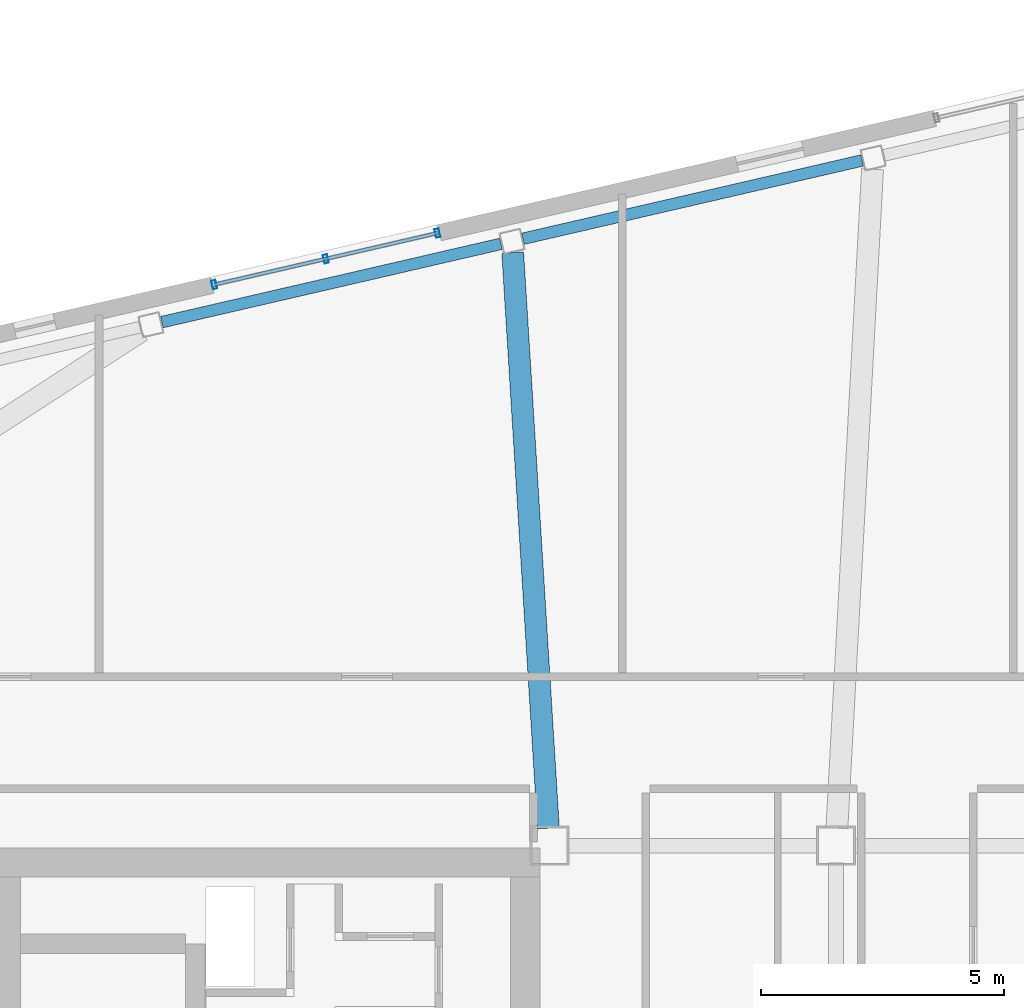
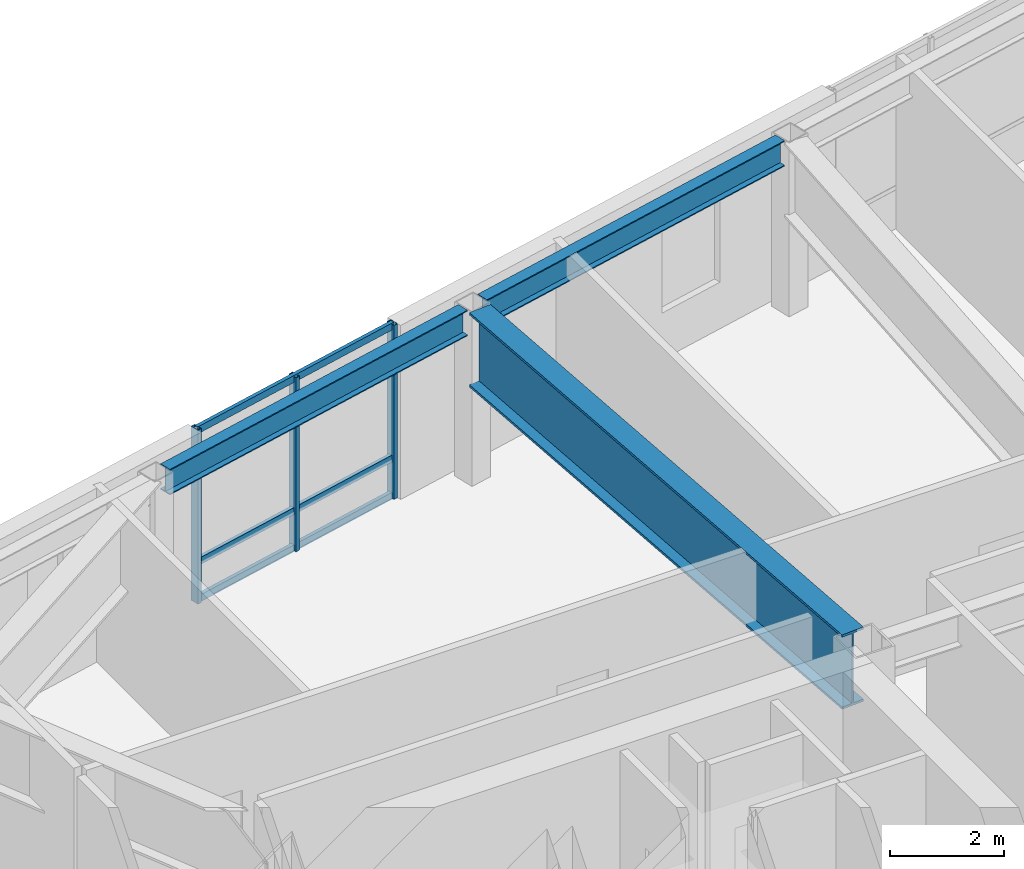
# One storey, part 12 of 23: 6 members, 3 beams, 1 element without a shape of its own.
"""IFC4 building model written with IfcOpenShell, lengths in metres."""

import ifcopenshell
import ifcopenshell.guid

model = None  # the IFC model being written
_history = None  # IfcOwnerHistory: only IFC2X3 demands one
_inside = {}  # id of a spatial element -> (the spatial element, [elements in it])
_under = {}  # id of a project, library or spatial element -> (it, [spatial elements below it])
_declared = {}  # id of a project -> (the project, [libraries it declares])
_typed = {}  # id of a type object -> (the type object, [elements of that type])
_made_of = {}  # id of a material, layer set ... -> (it, [elements and type objects made of it])


def new_model(schema):
    """Start an empty IFC model of exactly this schema.

    Asked for "IFC4X3", IfcOpenShell would pick the latest addendum, in which some entities
    have other attributes; the version numbers below select the first issue.
    IFC2X3 requires an IfcOwnerHistory on every rooted entity: one is made here for all.
    """
    global model, _history
    if schema == "IFC4X3":
        model = ifcopenshell.file(schema_version=(4, 3, 0, 0))
    else:
        model = ifcopenshell.file(schema=schema)
    _inside.clear()
    _under.clear()
    _declared.clear()
    _typed.clear()
    _made_of.clear()
    _history = None
    if model.schema == "IFC2X3":
        org = make("IfcOrganization", Name="unknown")
        user = make(
            "IfcPersonAndOrganization",
            ThePerson=make("IfcPerson", FamilyName="unknown"),
            TheOrganization=org,
        )
        app = make(
            "IfcApplication",
            ApplicationDeveloper=org,
            Version="unknown",
            ApplicationFullName="unknown",
            ApplicationIdentifier="unknown",
        )
        _history = make(
            "IfcOwnerHistory",
            OwningUser=user,
            OwningApplication=app,
            ChangeAction="ADDED",
            CreationDate=0,
        )
    return model


def make(cls, **values):
    """One entity of the class cls with the attributes given. An attribute that is None is left unset."""
    return model.create_entity(
        cls, **{name: value for name, value in values.items() if value is not None}
    )


def rooted(cls, **values):
    """An entity with a GlobalId (a new one), such as an element, a storey or a relation."""
    return make(cls, GlobalId=ifcopenshell.guid.new(), OwnerHistory=_history, **values)


def si_unit(unit_type, name, prefix=None):
    """IfcSIUnit, for example si_unit("LENGTHUNIT", "METRE", prefix="MILLI")."""
    return make("IfcSIUnit", UnitType=unit_type, Prefix=prefix, Name=name)


def assignment(units):
    """IfcUnitAssignment: the units of a project."""
    return None if units is None else make("IfcUnitAssignment", Units=units)


def point(xyz):
    """IfcCartesianPoint."""
    return None if xyz is None else make("IfcCartesianPoint", Coordinates=xyz)


def direction(xyz):
    """IfcDirection."""
    return None if xyz is None else make("IfcDirection", DirectionRatios=xyz)


def frame(location, z_axis=None, x_axis=None):
    """IfcAxis2Placement3D, a coordinate frame: its origin and axes. An axis left out is left unset."""
    return make(
        "IfcAxis2Placement3D",
        Location=point(location),
        Axis=direction(z_axis),
        RefDirection=direction(x_axis),
    )


def frame_2d(location, x_axis=None):
    """IfcAxis2Placement2D, a coordinate frame in the plane: its origin and x axis."""
    return make(
        "IfcAxis2Placement2D", Location=point(location), RefDirection=direction(x_axis)
    )


def origin():
    """The frame at (0, 0, 0) with its axes left unset."""
    return frame((0.0, 0.0, 0.0))


def origin_2d():
    """The frame at (0, 0) in the plane with its x axis left unset."""
    return frame_2d((0.0, 0.0))


def place(relative_to, where):
    """IfcLocalPlacement: puts the frame where relative to a parent placement (None: the world)."""
    return make(
        "IfcLocalPlacement", PlacementRelTo=relative_to, RelativePlacement=where
    )


def context(
    kind, dimensions, precision=None, world=None, true_north=None, identifier=None
):
    """IfcGeometricRepresentationContext, for example the 3D "Model" context."""
    return make(
        "IfcGeometricRepresentationContext",
        ContextIdentifier=identifier,
        ContextType=kind,
        CoordinateSpaceDimension=dimensions,
        Precision=precision,
        WorldCoordinateSystem=world,
        TrueNorth=true_north,
    )


def subcontext(parent, identifier, kind, view, scale=None):
    """IfcGeometricRepresentationSubContext, for example "Body" below "Model"."""
    return make(
        "IfcGeometricRepresentationSubContext",
        ContextIdentifier=identifier,
        ContextType=kind,
        ParentContext=parent,
        TargetScale=scale,
        TargetView=view,
    )


def project(units=None, contexts=None):
    """IfcProject with its units and contexts."""
    return rooted(
        "IfcProject",
        Name="project",
        RepresentationContexts=contexts,
        UnitsInContext=assignment(units),
    )


def spatial(cls, under=None, at=None, **own):
    """A site, building, storey or space (cls), placed at a placement, below another one or the project."""
    s = rooted(cls, ObjectPlacement=at, **own)
    if under is not None:
        _under.setdefault(under.id(), (under, []))[1].append(s)
    return s


def profile(cls, at=None, kind="AREA", **sizes):
    """A parametric profile (cls). Its sizes go by their IFC names, for example OverallWidth=200.0."""
    return make(cls, ProfileType=kind, Position=at, **sizes)


def hollow_rectangle(**sizes):
    """IfcRectangleHollowProfileDef."""
    return profile("IfcRectangleHollowProfileDef", **sizes)


def i_section(**sizes):
    """IfcIShapeProfileDef."""
    return profile("IfcIShapeProfileDef", **sizes)


def extrude(swept, where, along, depth):
    """IfcExtrudedAreaSolid: the profile swept, set in the frame where, extruded along a direction by depth."""
    return make(
        "IfcExtrudedAreaSolid",
        SweptArea=swept,
        Position=where,
        ExtrudedDirection=direction(along),
        Depth=depth,
    )


def shape(context_of_items, identifier, shape_type, items):
    """IfcShapeRepresentation: the items that make up one representation, for example the "Body"."""
    return make(
        "IfcShapeRepresentation",
        ContextOfItems=context_of_items,
        RepresentationIdentifier=identifier,
        RepresentationType=shape_type,
        Items=items,
    )


def material(Name=None, Category=None):
    """IfcMaterial."""
    return make("IfcMaterial", Name=Name, Category=Category)


def layer(
    of_material, thickness, ventilated=None, Name=None, Category=None, Priority=None
):
    """IfcMaterialLayer: one layer of a wall or slab, of a material (None: an air gap)."""
    return make(
        "IfcMaterialLayer",
        Material=of_material,
        LayerThickness=thickness,
        IsVentilated=ventilated,
        Name=Name,
        Category=Category,
        Priority=Priority,
    )


def layer_set(layers, Name=None):
    """IfcMaterialLayerSet."""
    return make("IfcMaterialLayerSet", MaterialLayers=layers, LayerSetName=Name)


def material_profile(
    of_material, cross_section, Name=None, Category=None, Priority=None
):
    """IfcMaterialProfile: a cross section and its material."""
    return make(
        "IfcMaterialProfile",
        Name=Name,
        Material=of_material,
        Profile=cross_section,
        Priority=Priority,
        Category=Category,
    )


def profile_set(profiles, Name=None, composite=None):
    """IfcMaterialProfileSet."""
    return make(
        "IfcMaterialProfileSet",
        Name=Name,
        MaterialProfiles=profiles,
        CompositeProfile=composite,
    )


def made_of(thing, what):
    """Note that an element or type object is made of a material, layer set ...; save() writes the relation."""
    if what is not None:
        _made_of.setdefault(what.id(), (what, []))[1].append(thing)
    return thing


def type_object(cls, material=None, **own):
    """A type object (cls), such as IfcWallType, which elements share."""
    return made_of(rooted(cls, **own), material)


def element(
    cls,
    number,
    at=None,
    inside=None,
    cuts=None,
    type_object=None,
    material=None,
    context=None,
    identifier="Body",
    shape_type=None,
    held_by="IfcProductDefinitionShape",
    body=None,
    shapes=None,
    **own,
):
    """One element of the class cls, such as IfcWall. Its Tag is "e" and its number.

    at: its placement. inside: the storey or other place that contains it. cuts: it is an
    opening in that element (IfcRelVoidsElement). A single representation is given by context,
    identifier, shape_type and body (its items); several are given by shapes. held_by: the class
    of the entity that holds the representations. save() writes the other relations.
    """
    e = rooted(cls, Tag="e%d" % number, ObjectPlacement=at, **own)
    if body is not None:
        shapes = [shape(context, identifier, shape_type, body)]
    if shapes is not None:
        e.Representation = make(held_by, Representations=shapes)
    if inside is not None:
        _inside.setdefault(inside.id(), (inside, []))[1].append(e)
    if cuts is not None:
        rooted(
            "IfcRelVoidsElement", RelatingBuildingElement=cuts, RelatedOpeningElement=e
        )
    if type_object is not None:
        _typed.setdefault(type_object.id(), (type_object, []))[1].append(e)
    return made_of(e, material)


def aggregate(whole, parts):
    """IfcRelAggregates: a whole, such as a stair, and the parts it consists of."""
    return rooted("IfcRelAggregates", RelatingObject=whole, RelatedObjects=parts)


def save(model, path):
    """Write the relations noted so far, then the file.

    IfcRelAggregates (storeys below a building ...), IfcRelContainedInSpatialStructure (elements
    in a storey), IfcRelDefinesByType, IfcRelAssociatesMaterial and IfcRelDeclares: one each for
    every whole, place, type object, material and project.
    """
    for whole, parts in _under.values():
        aggregate(whole, parts)
    for where, things in _inside.values():
        rooted(
            "IfcRelContainedInSpatialStructure",
            RelatedElements=things,
            RelatingStructure=where,
        )
    for kind, things in _typed.values():
        rooted("IfcRelDefinesByType", RelatedObjects=things, RelatingType=kind)
    for what, things in _made_of.values():
        rooted("IfcRelAssociatesMaterial", RelatedObjects=things, RelatingMaterial=what)
    for by, libraries in _declared.values():
        rooted("IfcRelDeclares", RelatingContext=by, RelatedDefinitions=libraries)
    model.write(path)


model = new_model("IFC4")

# Units and contexts
model_context = context("Model", 3, precision=1e-05, world=origin(), true_north=direction((0.0, 1.0)))
body_context = subcontext(model_context, "Body", "Model", "MODEL_VIEW")
ifc_project = project(units=[si_unit("LENGTHUNIT", "METRE"), si_unit("AREAUNIT", "SQUARE_METRE"), si_unit("VOLUMEUNIT", "CUBIC_METRE"), si_unit("PLANEANGLEUNIT", "RADIAN"), si_unit("MASSUNIT", "GRAM", prefix="KILO")], contexts=[model_context])

# Site, building, storey
site_placement = place(None, origin())
site = spatial("IfcSite", under=ifc_project, at=site_placement, CompositionType="ELEMENT")
building_placement = place(site_placement, origin())
building = spatial("IfcBuilding", under=site, at=building_placement, Name="Tavrogorsk Clinical Tower", CompositionType="ELEMENT")
storey_placement = place(building_placement, frame((0.0, 0.0, 277.0)))
storey = spatial("IfcBuildingStorey", under=building, at=storey_placement, Name="L64", CompositionType="ELEMENT", Elevation=277.0)

# Curtain wall, members
ifc_material_1 = material(Name="Anodised aluminium and triple IGU glazing", Category="aluminium")
ifc_layer = layer(ifc_material_1, 0.179931640625)
ifc_layer_set = layer_set([ifc_layer], Name="Anodised aluminium and triple IGU glazing")
curtain_wall_type = type_object("IfcCurtainWallType", Name="CW2_NorthSlot", PredefinedType="NOTDEFINED", material=ifc_layer_set)
curtain_wall_placement = place(storey_placement, origin())
curtain_wall = element("IfcCurtainWall", 1, at=curtain_wall_placement, inside=storey, type_object=curtain_wall_type, Name="L64 Curtain Wall CW-L64-N-SLOT-1", PredefinedType="NOTDEFINED")
ifc_material_2 = material(Name="Anodised aluminium alloy AW-6060", Category="aluminium")
ifc_material_profile_1 = material_profile(ifc_material_2, hollow_rectangle(XDim=0.090087890625, YDim=0.179931640625, WallThickness=0.00634765625, at=origin_2d()), Name="RHS-180x90x6.3")
ifc_profile_set_1 = profile_set([ifc_material_profile_1], Name="Anodised aluminium alloy AW-6060")
member_type_1 = type_object("IfcMemberType", Name="CwMullion_180x90", PredefinedType="MULLION", material=ifc_profile_set_1)
member_1_placement = place(storey_placement, frame((-12.608154296875, 18.9658203125, 0.0), z_axis=(0.0, 0.0, 1.0), x_axis=(-0.974370057377, -0.224951086434, 0.0)))
member_1 = element("IfcMember", 2, at=member_1_placement, type_object=member_type_1, Name="CW-L64-N-SLOT-1 Mullion 1", PredefinedType="MULLION", context=body_context, shape_type="SweptSolid", body=[
    extrude(hollow_rectangle(XDim=0.090087890625, YDim=0.179931640625, WallThickness=0.00634765625, at=origin_2d()), origin(), (0.0, 0.0, 1.0), 3.739990234375),
])
member_2_placement = place(storey_placement, frame((-14.90673828125, 18.435302734375, 0.0), z_axis=(0.0, 0.0, 1.0), x_axis=(-0.974370057377, -0.224951086434, 0.0)))
member_2 = element("IfcMember", 3, at=member_2_placement, type_object=member_type_1, Name="CW-L64-N-SLOT-1 Mullion 2", PredefinedType="MULLION", context=body_context, shape_type="SweptSolid", body=[
    extrude(hollow_rectangle(XDim=0.090087890625, YDim=0.179931640625, WallThickness=0.00634765625, at=origin_2d()), origin(), (0.0, 0.0, 1.0), 3.739990234375),
])
member_3_placement = place(storey_placement, frame((-17.205322265625, 17.904541015625, 0.0), z_axis=(0.0, 0.0, 1.0), x_axis=(-0.974370057377, -0.224951086434, 0.0)))
member_3 = element("IfcMember", 4, at=member_3_placement, type_object=member_type_1, Name="CW-L64-N-SLOT-1 Mullion 3", PredefinedType="MULLION", context=body_context, shape_type="SweptSolid", body=[
    extrude(hollow_rectangle(XDim=0.090087890625, YDim=0.179931640625, WallThickness=0.00634765625, at=origin_2d()), origin(), (0.0, 0.0, 1.0), 3.739990234375),
])
ifc_material_3 = material(Name="Anodised aluminium alloy AW-6060", Category="aluminium")
ifc_material_profile_2 = material_profile(ifc_material_3, hollow_rectangle(XDim=0.074951171875, YDim=0.14990234375, WallThickness=0.0048828125, at=origin_2d()), Name="RHS-150x75x5")
ifc_profile_set_2 = profile_set([ifc_material_profile_2], Name="Anodised aluminium alloy AW-6060")
member_type_2 = type_object("IfcMemberType", Name="CwTransom_150x75", PredefinedType="USERDEFINED", material=ifc_profile_set_2)
member_4_placement = place(storey_placement, frame((-12.608154296875, 18.9658203125, 0.050048828125), z_axis=(-0.974372877948, -0.22493886885, 0.0), x_axis=(0.22493886885, -0.974372877948, 0.0)))
member_4 = element("IfcMember", 5, at=member_4_placement, type_object=member_type_2, Name="CW-L64-N-SLOT-1 Transom 1", ObjectType="TRANSOM", PredefinedType="USERDEFINED", context=body_context, shape_type="SweptSolid", body=[
    extrude(hollow_rectangle(XDim=0.074951171875, YDim=0.14990234375, WallThickness=0.0048828125, at=origin_2d()), origin(), (0.0, 0.0, 1.0), 4.718017578125),
])
member_5_placement = place(storey_placement, frame((-12.608154296875, 18.9658203125, 0.85009765625), z_axis=(-0.974372877948, -0.22493886885, 0.0), x_axis=(0.22493886885, -0.974372877948, 0.0)))
member_5 = element("IfcMember", 6, at=member_5_placement, type_object=member_type_2, Name="CW-L64-N-SLOT-1 Transom 2", ObjectType="TRANSOM", PredefinedType="USERDEFINED", context=body_context, shape_type="SweptSolid", body=[
    extrude(hollow_rectangle(XDim=0.074951171875, YDim=0.14990234375, WallThickness=0.0048828125, at=origin_2d()), origin(), (0.0, 0.0, 1.0), 4.718017578125),
])
member_6_placement = place(storey_placement, frame((-12.608154296875, 18.9658203125, 3.68994140625), z_axis=(-0.974372877948, -0.22493886885, 0.0), x_axis=(0.22493886885, -0.974372877948, 0.0)))
member_6 = element("IfcMember", 7, at=member_6_placement, type_object=member_type_2, Name="CW-L64-N-SLOT-1 Transom 3", ObjectType="TRANSOM", PredefinedType="USERDEFINED", context=body_context, shape_type="SweptSolid", body=[
    extrude(hollow_rectangle(XDim=0.074951171875, YDim=0.14990234375, WallThickness=0.0048828125, at=origin_2d()), origin(), (0.0, 0.0, 1.0), 4.718017578125),
])
aggregate(curtain_wall, [member_1, member_2, member_3, member_4, member_5, member_6])

# Beams
ifc_material_4 = material(Name="Structural steel S390", Category="steel")
ifc_material_profile_3 = material_profile(ifc_material_4, i_section(OverallWidth=0.239990234375, OverallDepth=0.550048828125, WebThickness=0.013916015625, FlangeThickness=0.02197265625, at=origin_2d()), Name="B-550x240x14x22")
ifc_profile_set_3 = profile_set([ifc_material_profile_3], Name="Structural steel S390")
beam_type_1 = type_object("IfcBeamType", Name="SpandrelBeam_B550", PredefinedType="SPANDREL", material=ifc_profile_set_3)
for number, where, z_axis, x_axis, name in (
    (8, (-3.861328125, 20.4619140625, 3.465087890625), (-0.974367655018, -0.224961491939, 0.0), (0.224961491939, -0.974367655018, 0.0), "L64 Perimeter Spandrel N4-N5"),
    (9, (-11.2998046875, 18.74462890625, 3.465087890625), (-0.974367655018, -0.224961491939, 0.0), (0.224961491939, -0.974367655018, 0.0), "L64 Perimeter Spandrel N5-N6"),
):
    element("IfcBeam", number, at=place(storey_placement, frame(where, z_axis=z_axis, x_axis=x_axis)), inside=storey, type_object=beam_type_1, Name=name, PredefinedType="SPANDREL", context=body_context, shape_type="SweptSolid", body=[
        extrude(i_section(OverallWidth=0.239990234375, OverallDepth=0.550048828125, WebThickness=0.013916015625, FlangeThickness=0.02197265625, at=origin_2d()), origin(), (0.0, 0.0, 1.0), 7.168212890625),
    ])
ifc_material_5 = material(Name="Structural steel S440", Category="steel")
ifc_material_profile_4 = material_profile(ifc_material_5, i_section(OverallWidth=0.449951171875, OverallDepth=1.60009765625, WebThickness=0.031982421875, FlangeThickness=0.050048828125, at=origin_2d()), Name="DK-1600x450x32x50")
ifc_profile_set_4 = profile_set([ifc_material_profile_4], Name="Structural steel S440")
beam_type_2 = type_object("IfcBeamType", Name="TransferGirder_DK1600", PredefinedType="USERDEFINED", material=ifc_profile_set_4)
beam_placement = place(storey_placement, frame((-10.322265625, 6.709228515625, 2.93994140625), z_axis=(-0.061970081602, 0.998078007465, 0.0), x_axis=(-0.998078007465, -0.061970081602, 0.0)))
element("IfcBeam", 10, at=beam_placement, inside=storey, type_object=beam_type_2, Name="L64 Radial Floor Beam N5", ObjectType="GIRDER", PredefinedType="USERDEFINED", context=body_context, shape_type="SweptSolid", body=[
    extrude(i_section(OverallWidth=0.449951171875, OverallDepth=1.60009765625, WebThickness=0.031982421875, FlangeThickness=0.050048828125, at=origin_2d()), origin(), (0.0, 0.0, 1.0), 11.878173828125),
])

save(model, "model.ifc")
